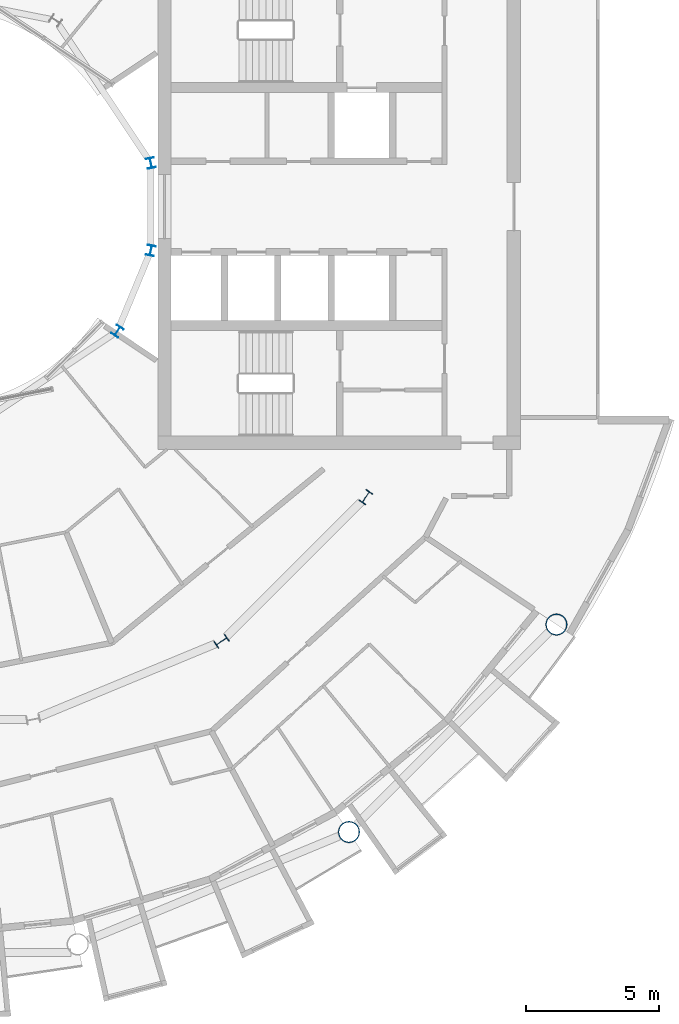
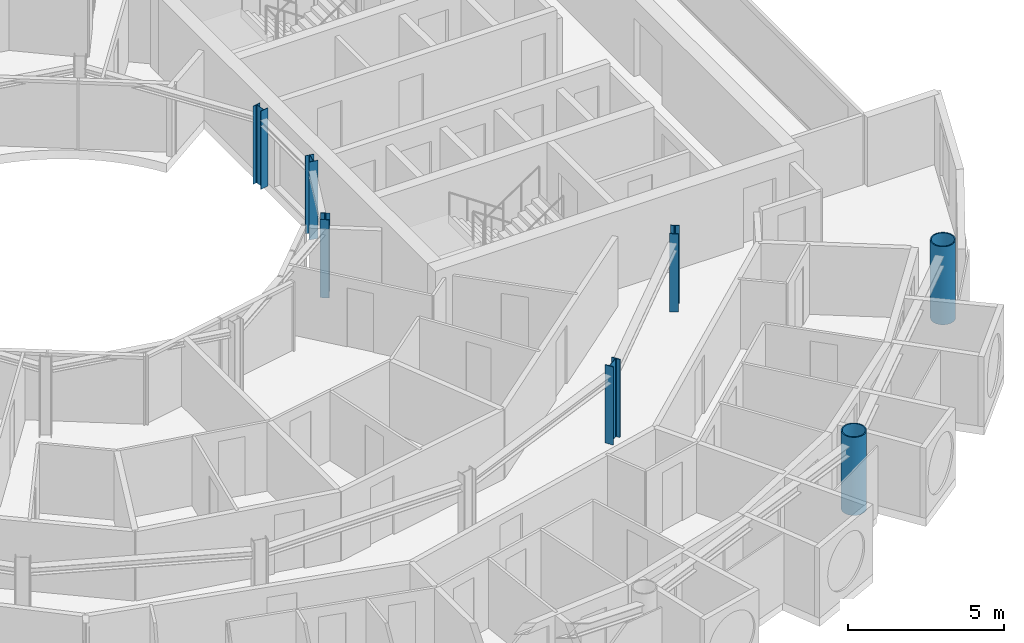
# One storey, part 2 of 27: 7 columns.
"""IFC4 building model written with IfcOpenShell, lengths in metres."""

from ifc_helpers import new_model, si_unit, direction, frame, origin, origin_2d, place, context, subcontext, project, spatial, hollow_circle, i_section, extrude, material, material_profile, profile_set, type_object, element, save


model = new_model("IFC4")

# Units and contexts
model_context = context("Model", 3, precision=1e-05, world=origin(), true_north=direction((0.0, 1.0)))
body_context = subcontext(model_context, "Body", "Model", "MODEL_VIEW")
ifc_project = project(units=[si_unit("LENGTHUNIT", "METRE"), si_unit("AREAUNIT", "SQUARE_METRE"), si_unit("VOLUMEUNIT", "CUBIC_METRE"), si_unit("PLANEANGLEUNIT", "RADIAN"), si_unit("MASSUNIT", "GRAM", prefix="KILO")], contexts=[model_context])

# Site, building, storey
site_placement = place(None, origin())
site = spatial("IfcSite", under=ifc_project, at=site_placement, CompositionType="ELEMENT")
building_placement = place(site_placement, origin())
building = spatial("IfcBuilding", under=site, at=building_placement, Name="Maasbend Ring Residences", CompositionType="ELEMENT")
storey_placement = place(building_placement, frame((0.0, 0.0, 164.64990234375)))
storey = spatial("IfcBuildingStorey", under=building, at=storey_placement, Name="L47", CompositionType="ELEMENT", Elevation=164.64990234375)

# Columns
ifc_material_1 = material(Name="Composite concrete-filled steel tube S460NH / C80/95", Category="concrete")
ifc_material_profile_1 = material_profile(ifc_material_1, hollow_circle(Radius=0.406494140625, WallThickness=0.0400390625, at=origin_2d()), Name="Composite tube column CHS 813x40")
ifc_profile_set_1 = profile_set([ifc_material_profile_1], Name="Composite concrete-filled steel tube S460NH / C80/95")
column_type_1 = type_object("IfcColumnType", Name="Composite tube column CHS 813x40", PredefinedType="COLUMN", material=ifc_profile_set_1)
for number, where, z_axis, x_axis, name in (
    (1, (15.6669921875, -23.447509765625, 0.0), (0.0, 0.0, 1.0), (1.0, 0.0, 0.0), "Outer column R14"),
    (2, (23.447509765625, -15.6669921875, 0.0), (0.0, 0.0, 1.0), (1.0, 0.0, 0.0), "Outer column R15"),
):
    element("IfcColumn", number, at=place(storey_placement, frame(where, z_axis=z_axis, x_axis=x_axis)), inside=storey, type_object=column_type_1, Name=name, PredefinedType="COLUMN", context=body_context, shape_type="SweptSolid", body=[
        extrude(hollow_circle(Radius=0.406494140625, WallThickness=0.0400390625, at=origin_2d()), origin(), (0.0, 0.0, 1.0), 3.050048828125),
    ])
ifc_material_2 = material(Name="Steel S355J2", Category="steel")
ifc_material_profile_2 = material_profile(ifc_material_2, i_section(OverallWidth=0.300048828125, OverallDepth=0.389892578125, WebThickness=0.010986328125, FlangeThickness=0.01904296875, FilletRadius=0.027099609375, at=origin_2d()), Name="HEA 400")
ifc_profile_set_2 = profile_set([ifc_material_profile_2], Name="Steel S355J2")
column_type_2 = type_object("IfcColumnType", Name="Steel column HEA 400", PredefinedType="COLUMN", material=ifc_profile_set_2)
for number, where, z_axis, x_axis, name in (
    (3, (8.238525390625, 1.638916015625, 0.0), (0.0, 0.0, 1.0), (0.980785280403, 0.195090322016, 0.0), "Well ring column R1"),
    (4, (6.984375, -4.666748046875, 0.0), (0.0, 0.0, 1.0), (0.831469612303, -0.55557023302, 0.0), "Well ring column R15"),
    (5, (8.238525390625, -1.638916015625, 0.0), (0.0, 0.0, 1.0), (0.980785280403, -0.195090322016, 0.0), "Well ring column R16"),
):
    element("IfcColumn", number, at=place(storey_placement, frame(where, z_axis=z_axis, x_axis=x_axis)), inside=storey, type_object=column_type_2, Name=name, PredefinedType="COLUMN", context=body_context, shape_type="SweptSolid", body=[
        extrude(i_section(OverallWidth=0.300048828125, OverallDepth=0.389892578125, WebThickness=0.010986328125, FlangeThickness=0.01904296875, FilletRadius=0.027099609375, at=origin_2d()), origin(), (0.0, 0.0, 1.0), 3.050048828125),
    ])
ifc_material_3 = material(Name="Steel S355J2", Category="steel")
ifc_material_profile_3 = material_profile(ifc_material_3, i_section(OverallWidth=0.300048828125, OverallDepth=0.5, WebThickness=0.014404296875, FlangeThickness=0.028076171875, FilletRadius=0.027099609375, at=origin_2d()), Name="HEB 500")
ifc_profile_set_3 = profile_set([ifc_material_profile_3], Name="Steel S355J2")
column_type_3 = type_object("IfcColumnType", Name="Steel column HEB 500", PredefinedType="COLUMN", material=ifc_profile_set_3)
for number, where, z_axis, x_axis, name in (
    (6, (10.88916015625, -16.296875, 0.0), (0.0, 0.0, 1.0), (0.55557023302, -0.831469612303, 0.0), "Corridor ring column R14"),
    (7, (16.296875, -10.88916015625, 0.0), (0.0, 0.0, 1.0), (0.831469612303, -0.55557023302, 0.0), "Corridor ring column R15"),
):
    element("IfcColumn", number, at=place(storey_placement, frame(where, z_axis=z_axis, x_axis=x_axis)), inside=storey, type_object=column_type_3, Name=name, PredefinedType="COLUMN", context=body_context, shape_type="SweptSolid", body=[
        extrude(i_section(OverallWidth=0.300048828125, OverallDepth=0.5, WebThickness=0.014404296875, FlangeThickness=0.028076171875, FilletRadius=0.027099609375, at=origin_2d()), origin(), (0.0, 0.0, 1.0), 3.050048828125),
    ])

save(model, "model.ifc")
